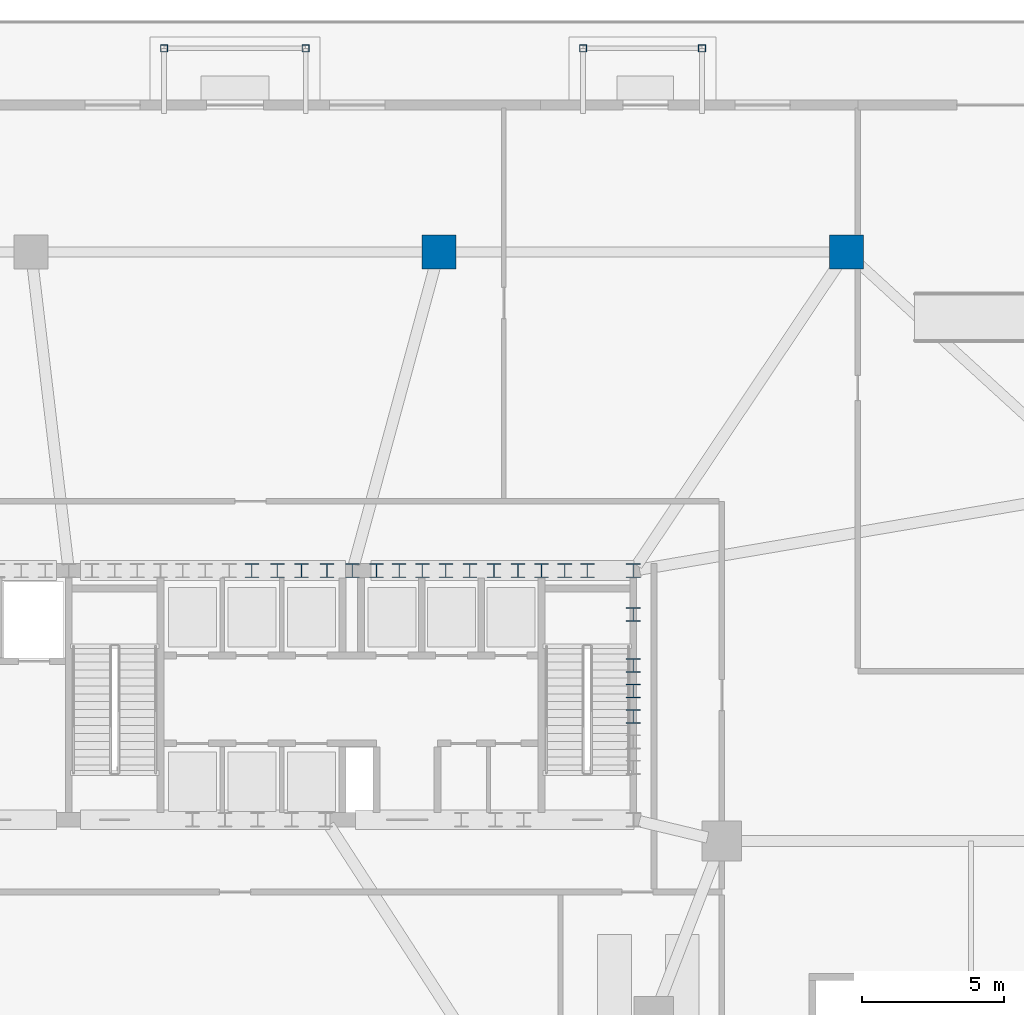
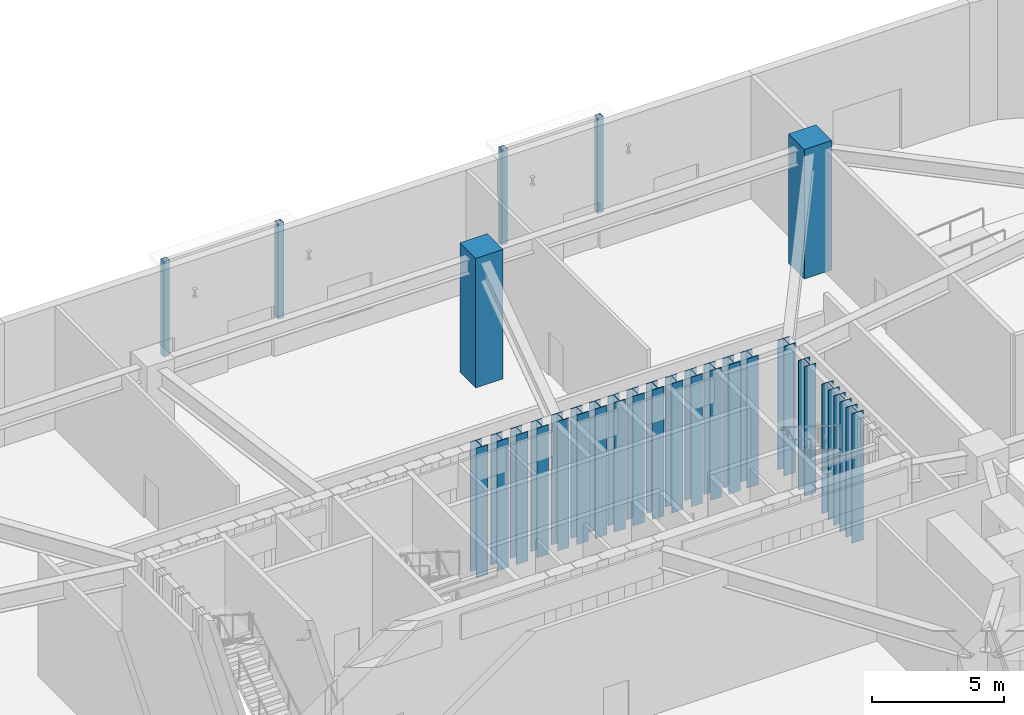
# One storey, part 4 of 21: 26 columns.
"""IFC4 building model written with IfcOpenShell, lengths in metres."""

from ifc_helpers import new_model, si_unit, direction, frame, origin, origin_2d, place, context, subcontext, project, spatial, rectangle, hollow_rectangle, i_section, extrude, material, material_profile, profile_set, type_object, element, save


model = new_model("IFC4")

# Units and contexts
model_context = context("Model", 3, precision=1e-05, world=origin(), true_north=direction((0.0, 1.0)))
body_context = subcontext(model_context, "Body", "Model", "MODEL_VIEW")
ifc_project = project(units=[si_unit("LENGTHUNIT", "METRE"), si_unit("AREAUNIT", "SQUARE_METRE"), si_unit("VOLUMEUNIT", "CUBIC_METRE"), si_unit("PLANEANGLEUNIT", "RADIAN"), si_unit("MASSUNIT", "GRAM", prefix="KILO")], contexts=[model_context])

# Site, building, storey
site_placement = place(None, origin())
site = spatial("IfcSite", under=ifc_project, at=site_placement, CompositionType="ELEMENT")
building_placement = place(site_placement, origin())
building = spatial("IfcBuilding", under=site, at=building_placement, Name="Haldorwick Loom Tower", CompositionType="ELEMENT")
storey_placement = place(building_placement, origin())
storey = spatial("IfcBuildingStorey", under=building, at=storey_placement, Name="L00", CompositionType="ELEMENT", Elevation=0.0)

# Columns
ifc_material_1 = material(Name="Steel CSA G40.21 350W", Category="steel")
ifc_material_profile_1 = material_profile(ifc_material_1, hollow_rectangle(XDim=0.25390625, YDim=0.25390625, WallThickness=0.0126953125, at=origin_2d()), Name="HSS254X254X13", Category="steel")
ifc_profile_set_1 = profile_set([ifc_material_profile_1], Name="Steel CSA G40.21 350W")
column_type_1 = type_object("IfcColumnType", Name="STR-COL-CN254", PredefinedType="COLUMN", material=ifc_profile_set_1)
for number, where, z_axis, x_axis, name in (
    (1, (33.5, 54.0, 0.0), (0.0, 0.0, 1.0), (1.0, 0.0, 0.0), "L00 Entrance Canopy Column CN-N2-1"),
    (2, (38.5, 54.0, 0.0), (0.0, 0.0, 1.0), (1.0, 0.0, 0.0), "L00 Entrance Canopy Column CN-N2-2"),
    (3, (48.300048828125, 54.0, 0.0), (0.0, 0.0, 1.0), (1.0, 0.0, 0.0), "L00 Entrance Canopy Column CN-N3-1"),
    (4, (52.5, 54.0, 0.0), (0.0, 0.0, 1.0), (1.0, 0.0, 0.0), "L00 Entrance Canopy Column CN-N3-2"),
):
    element("IfcColumn", number, at=place(storey_placement, frame(where, z_axis=z_axis, x_axis=x_axis)), inside=storey, type_object=column_type_1, Name=name, PredefinedType="COLUMN", context=body_context, shape_type="SweptSolid", body=[
        extrude(hollow_rectangle(XDim=0.25390625, YDim=0.25390625, WallThickness=0.0126953125, at=origin_2d()), origin(), (0.0, 0.0, 1.0), 4.419921875),
    ])
ifc_material_2 = material(Name="Concrete C60 (60 MPa)", Category="concrete")
ifc_material_profile_2 = material_profile(ifc_material_2, rectangle(XDim=1.199951171875, YDim=1.199951171875, at=origin_2d()), Name="RC1200X1200", Category="concrete")
ifc_profile_set_2 = profile_set([ifc_material_profile_2], Name="Concrete C60 (60 MPa)")
column_type_2 = type_object("IfcColumnType", Name="STR-COL-RC1200", PredefinedType="COLUMN", material=ifc_profile_set_2)
for number, where, z_axis, x_axis, name in (
    (5, (43.199951171875, 46.800048828125, 0.0), (0.0, 0.0, 1.0), (1.0, 0.0, 0.0), "L00 Podium Column PC-N3"),
    (6, (57.60009765625, 46.800048828125, 0.0), (0.0, 0.0, 1.0), (1.0, 0.0, 0.0), "L00 Podium Column PC-N4"),
):
    element("IfcColumn", number, at=place(storey_placement, frame(where, z_axis=z_axis, x_axis=x_axis)), inside=storey, type_object=column_type_2, Name=name, PredefinedType="COLUMN", context=body_context, shape_type="SweptSolid", body=[
        extrude(rectangle(XDim=1.199951171875, YDim=1.199951171875, at=origin_2d()), origin(), (0.0, 0.0, 1.0), 6.0),
    ])
ifc_material_3 = material(Name="Steel CSA G40.21 350WT", Category="steel")
ifc_material_profile_3 = material_profile(ifc_material_3, i_section(OverallWidth=0.5, OverallDepth=0.5, WebThickness=0.02197265625, FlangeThickness=0.031982421875, at=origin_2d()), Name="WWF500X500", Category="steel")
ifc_profile_set_3 = profile_set([ifc_material_profile_3], Name="Steel CSA G40.21 350WT")
column_type_3 = type_object("IfcColumnType", Name="STR-COL-WWF500", PredefinedType="COLUMN", material=ifc_profile_set_3)
for number, where, z_axis, x_axis, name in (
    (7, (36.60009765625, 35.550048828125, 0.0), (0.0, 0.0, 1.0), (1.0, 0.0, 0.0), "L00 Core Pilaster CB-10"),
    (8, (38.35009765625, 35.550048828125, 0.0), (0.0, 0.0, 1.0), (1.0, 0.0, 0.0), "L00 Core Pilaster CB-11"),
    (9, (40.14990234375, 35.550048828125, 0.0), (0.0, 0.0, 1.0), (1.0, 0.0, 0.0), "L00 Core Pilaster CB-12"),
    (10, (41.800048828125, 35.550048828125, 0.0), (0.0, 0.0, 1.0), (1.0, 0.0, 0.0), "L00 Core Pilaster CB-13"),
    (11, (43.449951171875, 35.550048828125, 0.0), (0.0, 0.0, 1.0), (1.0, 0.0, 0.0), "L00 Core Pilaster CB-14"),
    (12, (45.14990234375, 35.550048828125, 0.0), (0.0, 0.0, 1.0), (1.0, 0.0, 0.0), "L00 Core Pilaster CB-15"),
    (13, (46.830078125, 35.550048828125, 0.0), (0.0, 0.0, 1.0), (1.0, 0.0, 0.0), "L00 Core Pilaster CB-16"),
    (14, (48.449951171875, 35.550048828125, 0.0), (0.0, 0.0, 1.0), (1.0, 0.0, 0.0), "L00 Core Pilaster CB-17"),
    (15, (50.070068359375, 35.550048828125, 0.0), (0.0, 0.0, 1.0), (1.0, 0.0, 0.0), "L00 Core Pilaster CB-18"),
    (16, (50.070068359375, 30.39990234375, 0.0), (0.0, 0.0, 1.0), (1.0, 0.0, 0.0), "L00 Core Pilaster CB-30"),
    (17, (50.070068359375, 32.199951171875, 0.0), (0.0, 0.0, 1.0), (1.0, 0.0, 0.0), "L00 Core Pilaster CB-31"),
    (18, (50.070068359375, 34.0, 0.0), (0.0, 0.0, 1.0), (1.0, 0.0, 0.0), "L00 Core Pilaster CB-32"),
    (19, (37.5, 35.550048828125, 0.0), (0.0, 0.0, 1.0), (1.0, 0.0, 0.0), "L00 Core Pilaster CB-36"),
    (20, (42.6201171875, 35.550048828125, 0.0), (0.0, 0.0, 1.0), (1.0, 0.0, 0.0), "L00 Core Pilaster CB-37"),
    (21, (47.64990234375, 35.550048828125, 0.0), (0.0, 0.0, 1.0), (1.0, 0.0, 0.0), "L00 Core Pilaster CB-38"),
    (22, (39.25, 35.550048828125, 0.0), (0.0, 0.0, 1.0), (1.0, 0.0, 0.0), "L00 Core Pilaster CB-45"),
    (23, (41.0, 35.550048828125, 0.0), (0.0, 0.0, 1.0), (1.0, 0.0, 0.0), "L00 Core Pilaster CB-46"),
    (24, (44.300048828125, 35.550048828125, 0.0), (0.0, 0.0, 1.0), (1.0, 0.0, 0.0), "L00 Core Pilaster CB-47"),
    (25, (46.0, 35.550048828125, 0.0), (0.0, 0.0, 1.0), (1.0, 0.0, 0.0), "L00 Core Pilaster CB-48"),
    (26, (50.070068359375, 31.300048828125, 0.0), (0.0, 0.0, 1.0), (1.0, 0.0, 0.0), "L00 Core Pilaster CB-50"),
):
    element("IfcColumn", number, at=place(storey_placement, frame(where, z_axis=z_axis, x_axis=x_axis)), inside=storey, type_object=column_type_3, Name=name, PredefinedType="COLUMN", context=body_context, shape_type="SweptSolid", body=[
        extrude(i_section(OverallWidth=0.5, OverallDepth=0.5, WebThickness=0.02197265625, FlangeThickness=0.031982421875, at=origin_2d()), origin(), (0.0, 0.0, 1.0), 6.0),
    ])

save(model, "model.ifc")
